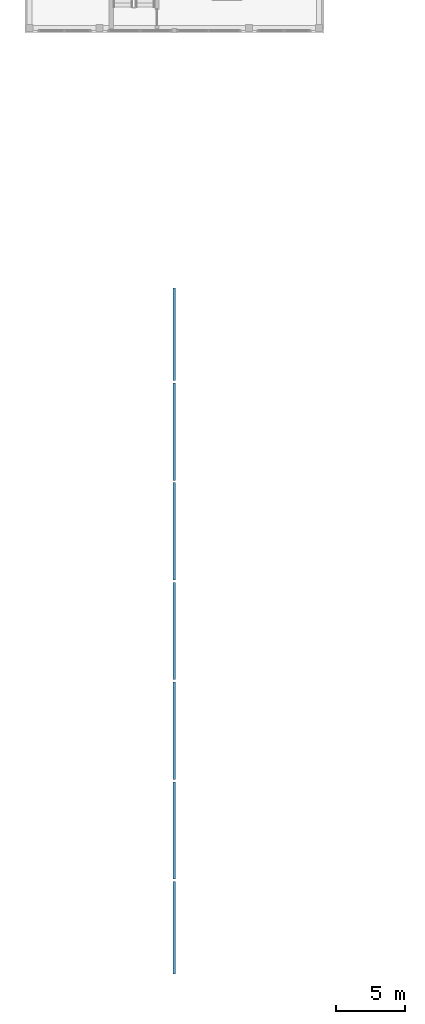
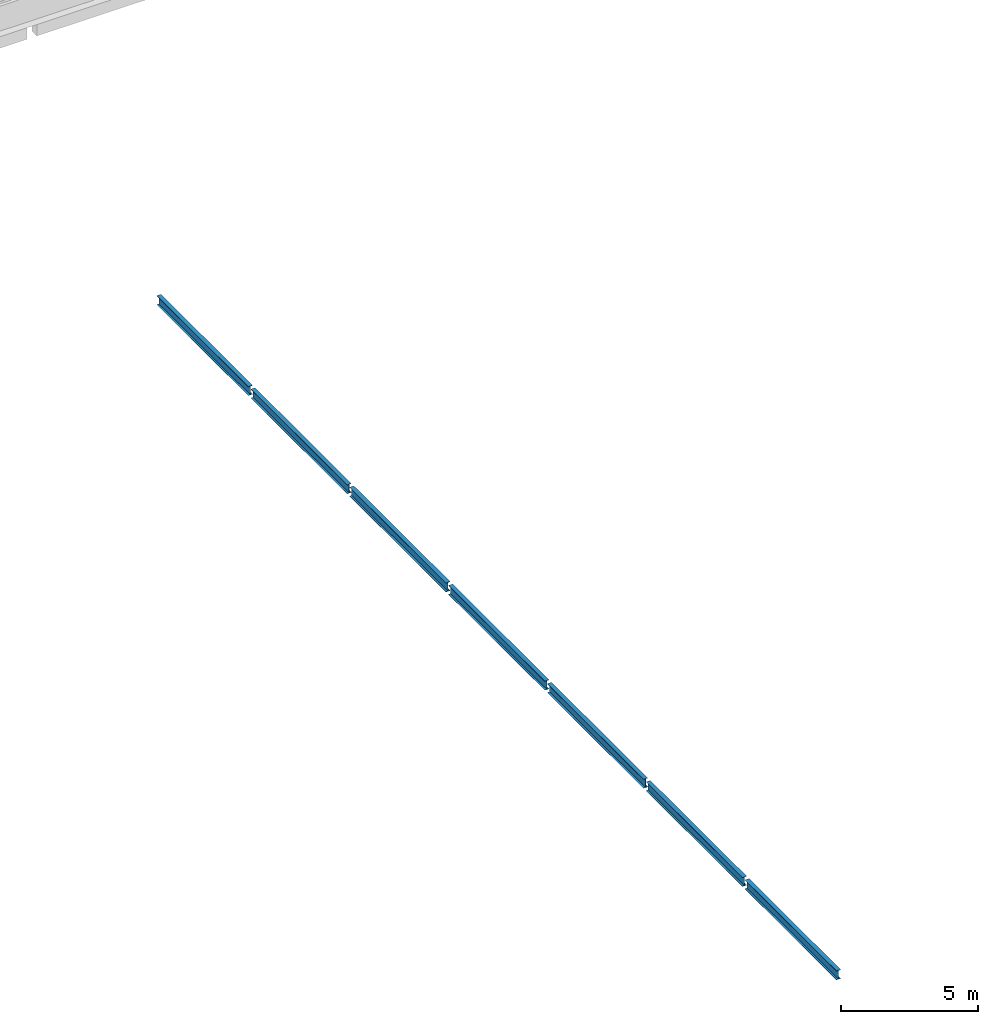
# One storey, part 3 of 28: 7 beams.
"""IFC4 building model written with IfcOpenShell, lengths in metres."""

from ifc_helpers import new_model, si_unit, derived_unit, direction, frame, origin, origin_2d, place, context, subcontext, project, spatial, i_section, extrude, material, material_profile, profile_set, type_object, element, save


model = new_model("IFC4")

# Units and contexts
model_context = context("Model", 3, precision=1e-05, world=origin(), true_north=direction((0.0, 1.0)))
body_context = subcontext(model_context, "Body", "Model", "MODEL_VIEW")
ifc_project = project(units=[si_unit("LENGTHUNIT", "METRE"), si_unit("AREAUNIT", "SQUARE_METRE"), si_unit("VOLUMEUNIT", "CUBIC_METRE"), si_unit("PLANEANGLEUNIT", "RADIAN"), si_unit("MASSUNIT", "GRAM", prefix="KILO"), derived_unit("THERMALTRANSMITTANCEUNIT", [(si_unit("MASSUNIT", "GRAM", prefix="KILO"), 1), (si_unit("TIMEUNIT", "SECOND"), -3), (si_unit("THERMODYNAMICTEMPERATUREUNIT", "KELVIN"), -1)])], contexts=[model_context])

# Site, building, storey
site_placement = place(None, origin())
site = spatial("IfcSite", under=ifc_project, at=site_placement, CompositionType="ELEMENT")
building_placement = place(site_placement, origin())
building = spatial("IfcBuilding", under=site, at=building_placement, Name="Ochrekiln Boulevard Commons", CompositionType="ELEMENT")
storey_placement = place(building_placement, frame((0.0, 0.0, 34.125)))
storey = spatial("IfcBuildingStorey", under=building, at=storey_placement, Name="L10", CompositionType="ELEMENT", Elevation=34.125)

# Beams
ifc_material = material(Name="Steel A992 Grade 50", Category="steel")
ifc_material_profile = material_profile(ifc_material, i_section(OverallWidth=0.177978515625, OverallDepth=0.403076171875, WebThickness=0.007568359375, FlangeThickness=0.010986328125, at=origin_2d()), Name="W16X36")
ifc_profile_set = profile_set([ifc_material_profile], Name="Steel A992 Grade 50")
beam_type = type_object("IfcBeamType", Name="BM-STL-W16X36", PredefinedType="BEAM", material=ifc_profile_set)
beam_1_placement = place(storey_placement, frame((10.800048828125, 0.43994140625, 0.634521484375), z_axis=(0.0, 1.0, 0.0), x_axis=(-1.0, 0.0, 0.0)))
element("IfcBeam", 1, at=beam_1_placement, inside=storey, type_object=beam_type, Name="Block D Gable Ridge Beam 1", PredefinedType="BEAM", context=body_context, shape_type="SweptSolid", body=[
    extrude(i_section(OverallWidth=0.177978515625, OverallDepth=0.403076171875, WebThickness=0.007568359375, FlangeThickness=0.010986328125, at=origin_2d()), origin(), (0.0, 0.0, 1.0), 6.670166015625),
])
for number, where, z_axis, x_axis, name in (
    (2, (10.800048828125, 7.2900390625, 0.634521484375), (0.0, 1.0, 0.0), (-1.0, 0.0, 0.0), "Block D Gable Ridge Beam 2"),
    (3, (10.800048828125, 14.489990234375, 0.634521484375), (0.0, 1.0, 0.0), (-1.0, 0.0, 0.0), "Block D Gable Ridge Beam 3"),
    (4, (10.800048828125, 21.68994140625, 0.634521484375), (0.0, 1.0, 0.0), (-1.0, 0.0, 0.0), "Block D Gable Ridge Beam 4"),
    (5, (10.800048828125, 28.889892578125, 0.634521484375), (0.0, 1.0, 0.0), (-1.0, 0.0, 0.0), "Block D Gable Ridge Beam 5"),
    (6, (10.800048828125, 36.090087890625, 0.634521484375), (0.0, 1.0, 0.0), (-1.0, 0.0, 0.0), "Block D Gable Ridge Beam 6"),
):
    element("IfcBeam", number, at=place(storey_placement, frame(where, z_axis=z_axis, x_axis=x_axis)), inside=storey, type_object=beam_type, Name=name, PredefinedType="BEAM", context=body_context, shape_type="SweptSolid", body=[
        extrude(i_section(OverallWidth=0.177978515625, OverallDepth=0.403076171875, WebThickness=0.007568359375, FlangeThickness=0.010986328125, at=origin_2d()), origin(), (0.0, 0.0, 1.0), 7.02001953125),
    ])
beam_2_placement = place(storey_placement, frame((10.800048828125, 43.2900390625, 0.634521484375), z_axis=(0.0, 1.0, 0.0), x_axis=(-1.0, 0.0, 0.0)))
element("IfcBeam", 7, at=beam_2_placement, inside=storey, type_object=beam_type, Name="Block D Gable Ridge Beam 7", PredefinedType="BEAM", context=body_context, shape_type="SweptSolid", body=[
    extrude(i_section(OverallWidth=0.177978515625, OverallDepth=0.403076171875, WebThickness=0.007568359375, FlangeThickness=0.010986328125, at=origin_2d()), origin(), (0.0, 0.0, 1.0), 6.669921875),
])

save(model, "model.ifc")
